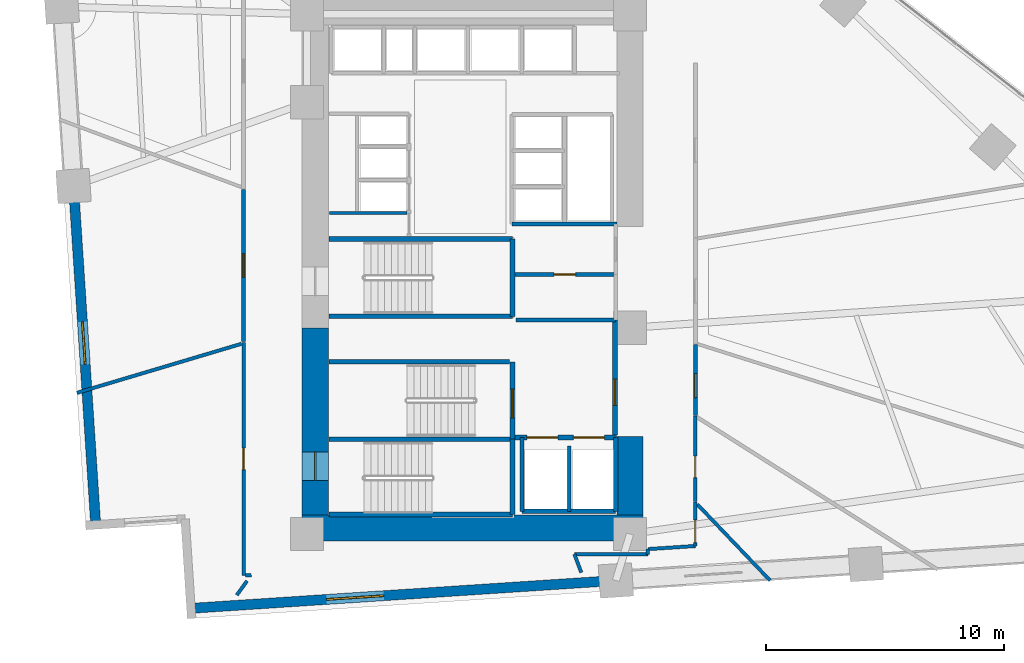
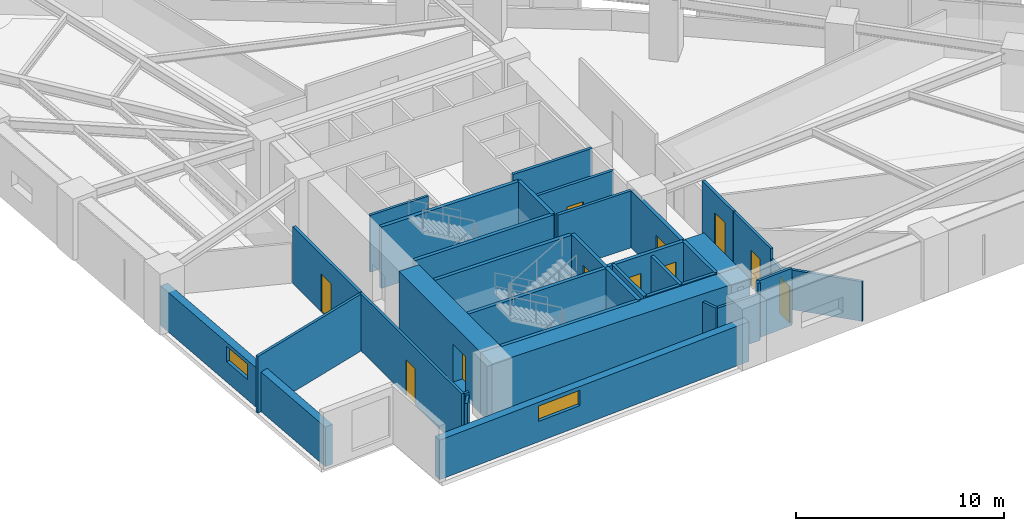
# One storey, part 11 of 15: 36 walls, 11 doors, 2 windows, 13 openings.
"""IFC4 building model written with IfcOpenShell, lengths in metres."""

from ifc_helpers import new_model, si_unit, direction, frame, frame_2d, origin, place, context, subcontext, project, spatial, rectangle, extrude, material, layer, layer_set, type_object, element, fill, save


model = new_model("IFC4")

# Units and contexts
model_context = context("Model", 3, precision=1e-05, world=origin(), true_north=direction((0.0, 1.0)))
body_context = subcontext(model_context, "Body", "Model", "MODEL_VIEW")
ifc_project = project(units=[si_unit("LENGTHUNIT", "METRE"), si_unit("AREAUNIT", "SQUARE_METRE"), si_unit("VOLUMEUNIT", "CUBIC_METRE"), si_unit("PLANEANGLEUNIT", "RADIAN"), si_unit("MASSUNIT", "GRAM", prefix="KILO")], contexts=[model_context])

# Site, building, storey
site_placement = place(None, origin())
site = spatial("IfcSite", under=ifc_project, at=site_placement, CompositionType="ELEMENT")
building_placement = place(site_placement, origin())
building = spatial("IfcBuilding", under=site, at=building_placement, Name="Narakoshi Arena Tower", CompositionType="ELEMENT")
storey_placement = place(building_placement, frame((0.0, 0.0, 70.5)))
storey = spatial("IfcBuildingStorey", under=building, at=storey_placement, Name="L18", CompositionType="ELEMENT", Elevation=70.5)

# Wall, opening, door
ifc_material_1 = material(Name="Concrete C60/75", Category="concrete")
ifc_layer_1 = layer(ifc_material_1, 1.10009765625)
ifc_layer_set_1 = layer_set([ifc_layer_1], Name="Concrete C60/75")
wall_type_1 = type_object("IfcWallType", Name="WL-CORE-1100", PredefinedType="SHEAR", material=ifc_layer_set_1)
wall_1_placement = place(storey_placement, frame((72.35009765625, 35.5, -0.260009765625), z_axis=(0.0, 0.0, 1.0), x_axis=(0.0, 1.0, 0.0)))
wall_1 = element("IfcWall", 1, at=wall_1_placement, inside=storey, type_object=wall_type_1, Name="L18 Central Core Shear Wall CW-APX-W", PredefinedType="SHEAR", context=body_context, shape_type="SweptSolid", body=[
    extrude(rectangle(XDim=7.85009765625, YDim=1.10009765625, at=frame_2d((3.925048828125, 0.0))), origin(), (0.0, 0.0, 1.0), 3.60009765625),
])
opening_1_placement = place(wall_1_placement, frame((1.449951171875, 0.0, 0.260009765625)))
opening_1 = element("IfcOpeningElement", 2, at=opening_1_placement, cuts=wall_1, Name="Opening D-03", PredefinedType="OPENING", context=body_context, shape_type="SweptSolid", body=[
    extrude(rectangle(XDim=1.199951171875, YDim=2.199951171875, at=frame_2d((0.60009765625, 1.10009765625))), frame((0.0, 0.56005859375, 0.0), z_axis=(0.0, -1.0, 0.0), x_axis=(1.0, 0.0, 0.0)), (0.0, 0.0, 1.0), 1.1201171875),
])
ifc_material_2 = material(Name="Painted galvanized steel", Category="steel")
door_type_1 = type_object("IfcDoorType", Name="DR-STR-1200", OperationType="NOTDEFINED", PredefinedType="USERDEFINED", material=ifc_material_2)
door_1_placement = place(opening_1_placement, frame((1.199951171875, 0.0, 0.0), z_axis=(0.0, 0.0, 1.0), x_axis=(-1.0, 0.0, 0.0)))
door_1 = element("IfcDoor", 3, at=door_1_placement, inside=storey, type_object=door_type_1, Name="DR-L18-002", ObjectType="EXITDOOR", OperationType="SINGLE_SWING_LEFT", OverallHeight=2.199951171875, OverallWidth=1.199951171875, PredefinedType="USERDEFINED", context=body_context, shape_type="SweptSolid", body=[
    extrude(rectangle(XDim=1.199951171875, YDim=2.199951171875, at=frame_2d((0.60009765625, 1.10009765625))), frame((0.0, 0.02490234375, 0.0), z_axis=(0.0, -1.0, 0.0), x_axis=(1.0, 0.0, 0.0)), (0.0, 0.0, 1.0), 0.050048828125),
])
fill(opening_1, door_1)

# Walls
wall_2_placement = place(storey_placement, frame((71.800048828125, 34.949951171875, -0.260009765625), z_axis=(0.0, 0.0, 1.0), x_axis=(1.0, 0.0, 0.0)))
element("IfcWall", 4, at=wall_2_placement, inside=storey, type_object=wall_type_1, Name="L18 Central Core Shear Wall CW-APX-S", PredefinedType="SHEAR", context=body_context, shape_type="SweptSolid", body=[
    extrude(rectangle(XDim=14.300048828125, YDim=1.10009765625, at=frame_2d((7.14990234375, 0.0))), origin(), (0.0, 0.0, 1.0), 3.60009765625),
])
wall_3_placement = place(storey_placement, frame((85.550048828125, 35.5, -0.260009765625), z_axis=(0.0, 0.0, 1.0), x_axis=(0.0, 1.0, 0.0)))
element("IfcWall", 5, at=wall_3_placement, inside=storey, type_object=wall_type_1, Name="L18 Central Core Shear Wall CW-APX-E", PredefinedType="SHEAR", context=body_context, shape_type="SweptSolid", body=[
    extrude(rectangle(XDim=3.300048828125, YDim=1.10009765625, at=frame_2d((1.64990234375, 0.0))), origin(), (0.0, 0.0, 1.0), 3.60009765625),
])

# Wall, opening, door
ifc_material_3 = material(Name="Gypsum plasterboard fire-rated partition")
ifc_layer_2 = layer(ifc_material_3, 0.1650390625)
ifc_layer_set_2 = layer_set([ifc_layer_2], Name="Gypsum plasterboard fire-rated partition")
wall_type_2 = type_object("IfcWallType", Name="WL-CORR-165", PredefinedType="PARTITIONING", material=ifc_layer_set_2)
wall_4_placement = place(storey_placement, frame((88.28759765625, 39.67431640625, 0.0), z_axis=(0.0, 0.0, 1.0), x_axis=(0.0, 1.0, 0.0)))
wall_4 = element("IfcWall", 6, at=wall_4_placement, inside=storey, type_object=wall_type_2, Name="L18 Corridor Partition 05-1", PredefinedType="PARTITIONING", context=body_context, shape_type="SweptSolid", body=[
    extrude(rectangle(XDim=2.964111328125, YDim=0.1650390625, at=frame_2d((1.48193359375, 0.0))), origin(), (0.0, 0.0, 1.0), 3.340087890625),
])
opening_2_placement = place(wall_4_placement, frame((0.74755859375, 0.0, 0.0)))
opening_2 = element("IfcOpeningElement", 7, at=opening_2_placement, cuts=wall_4, Name="Opening D-06", PredefinedType="OPENING", context=body_context, shape_type="SweptSolid", body=[
    extrude(rectangle(XDim=1.0, YDim=2.199951171875, at=frame_2d((0.5, 1.10009765625))), frame((0.0, 0.092529296875, 0.0), z_axis=(0.0, -1.0, 0.0), x_axis=(1.0, 0.0, 0.0)), (0.0, 0.0, 1.0), 0.18505859375),
])
ifc_material_4 = material(Name="Stained oak solid-core timber", Category="wood")
door_type_2 = type_object("IfcDoorType", Name="DR-OFF-1000", OperationType="NOTDEFINED", PredefinedType="DOOR", material=ifc_material_4)
door_2_placement = place(opening_2_placement, frame((1.0, 0.0, 0.0), z_axis=(0.0, 0.0, 1.0), x_axis=(-1.0, 0.0, 0.0)))
door_2 = element("IfcDoor", 8, at=door_2_placement, inside=storey, type_object=door_type_2, Name="DR-L18-018", OperationType="SINGLE_SWING_RIGHT", OverallHeight=2.199951171875, OverallWidth=1.0, PredefinedType="DOOR", context=body_context, shape_type="SweptSolid", body=[
    extrude(rectangle(XDim=1.0, YDim=2.199951171875, at=frame_2d((0.5, 1.10009765625))), frame((0.0, 0.02490234375, 0.0), z_axis=(0.0, -1.0, 0.0), x_axis=(1.0, 0.0, 0.0)), (0.0, 0.0, 1.0), 0.050048828125),
])
fill(opening_2, door_2)

wall_5_placement = place(storey_placement, frame((69.340087890625, 49.15234375, 0.0), z_axis=(0.0, 0.0, 1.0), x_axis=(0.0, -1.0, 0.0)))
wall_5 = element("IfcWall", 9, at=wall_5_placement, inside=storey, type_object=wall_type_2, Name="L18 Corridor Partition 09-1", PredefinedType="PARTITIONING", context=body_context, shape_type="SweptSolid", body=[
    extrude(rectangle(XDim=6.386962890625, YDim=0.1650390625, at=frame_2d((3.193359375, 0.0))), origin(), (0.0, 0.0, 1.0), 3.340087890625),
])
opening_3_placement = place(wall_5_placement, frame((2.693603515625, 0.0, 0.0)))
opening_3 = element("IfcOpeningElement", 10, at=opening_3_placement, cuts=wall_5, Name="Opening D-06", PredefinedType="OPENING", context=body_context, shape_type="SweptSolid", body=[
    extrude(rectangle(XDim=1.0, YDim=2.199951171875, at=frame_2d((0.5, 1.10009765625))), frame((0.0, 0.092529296875, 0.0), z_axis=(0.0, -1.0, 0.0), x_axis=(1.0, 0.0, 0.0)), (0.0, 0.0, 1.0), 0.18505859375),
])
door_3_placement = place(opening_3_placement, frame((1.0, 0.0, 0.0), z_axis=(0.0, 0.0, 1.0), x_axis=(-1.0, 0.0, 0.0)))
door_3 = element("IfcDoor", 11, at=door_3_placement, inside=storey, type_object=door_type_2, Name="DR-L18-022", OperationType="SINGLE_SWING_RIGHT", OverallHeight=2.199951171875, OverallWidth=1.0, PredefinedType="DOOR", context=body_context, shape_type="SweptSolid", body=[
    extrude(rectangle(XDim=1.0, YDim=2.199951171875, at=frame_2d((0.5, 1.10009765625))), frame((0.0, 0.02490234375, 0.0), z_axis=(0.0, -1.0, 0.0), x_axis=(1.0, 0.0, 0.0)), (0.0, 0.0, 1.0), 0.050048828125),
])
fill(opening_3, door_3)

# Wall, opening, window
ifc_material_5 = material(Name="Precast concrete C45/55", Category="concrete")
ifc_layer_3 = layer(ifc_material_5, 0.419921875)
ifc_layer_set_3 = layer_set([ifc_layer_3], Name="Precast concrete C45/55")
wall_type_3 = type_object("IfcWallType", Name="WL-POD-420", PredefinedType="SOLIDWALL", material=ifc_layer_set_3)
wall_6_placement = place(storey_placement, frame((67.133056640625, 31.582763671875, 0.0), z_axis=(0.0, 0.0, 1.0), x_axis=(0.997859040617, 0.065401338356, 0.0)))
wall_6 = element("IfcWall", 12, at=wall_6_placement, inside=storey, type_object=wall_type_3, Name="L18 Architectural Concrete Facade Wall LEGA-1", PredefinedType="SOLIDWALL", context=body_context, shape_type="SweptSolid", body=[
    extrude(rectangle(XDim=17.8623046875, YDim=0.419921875, at=frame_2d((8.93115234375, 0.0))), origin(), (0.0, 0.0, 1.0), 2.324951171875),
])
opening_4_placement = place(wall_6_placement, frame((5.699951171875, 0.0, 1.199951171875)))
opening_4 = element("IfcOpeningElement", 13, at=opening_4_placement, cuts=wall_6, Name="Opening WN-01", PredefinedType="OPENING", context=body_context, shape_type="SweptSolid", body=[
    extrude(rectangle(XDim=2.39990234375, YDim=0.89990234375, at=frame_2d((1.199951171875, 0.449951171875))), frame((0.0, 0.219970703125, 0.0), z_axis=(0.0, -1.0, 0.0), x_axis=(1.0, 0.0, 0.0)), (0.0, 0.0, 1.0), 0.43994140625),
])
ifc_material_6 = material(Name="Bronze-tinted low-E laminated glass", Category="glass")
window_type_1 = type_object("IfcWindowType", Name="WIN-SLT-24x09", PartitioningType="SINGLE_PANEL", PredefinedType="WINDOW", material=ifc_material_6)
window_1_placement = place(opening_4_placement, origin())
window_1 = element("IfcWindow", 14, at=window_1_placement, inside=storey, type_object=window_type_1, Name="L18 LEGA1 Horizontal Slot Window 1", OverallHeight=0.89990234375, OverallWidth=2.39990234375, PartitioningType="SINGLE_PANEL", PredefinedType="WINDOW", context=body_context, shape_type="SweptSolid", body=[
    extrude(rectangle(XDim=2.39990234375, YDim=0.89990234375, at=frame_2d((1.199951171875, 0.449951171875))), frame((0.0, 0.030029296875, 0.0), z_axis=(0.0, -1.0, 0.0), x_axis=(1.0, 0.0, 0.0)), (0.0, 0.0, 1.0), 0.06005859375),
])
fill(opening_4, window_1)

wall_7_placement = place(storey_placement, frame((62.210205078125, 49.294921875, 0.0), z_axis=(0.0, 0.0, 1.0), x_axis=(0.065396027757, -0.997859388668, 0.0)))
wall_7 = element("IfcWall", 15, at=wall_7_placement, inside=storey, type_object=wall_type_3, Name="L18 Architectural Concrete Facade Wall LEGB-3", PredefinedType="SOLIDWALL", context=body_context, shape_type="SweptSolid", body=[
    extrude(rectangle(XDim=14.242431640625, YDim=0.419921875, at=frame_2d((7.12109375, 0.0))), origin(), (0.0, 0.0, 1.0), 2.324951171875),
])
opening_5_placement = place(wall_7_placement, frame((5.699951171875, 0.0, 1.199951171875)))
opening_5 = element("IfcOpeningElement", 16, at=opening_5_placement, cuts=wall_7, Name="Opening WN-02", PredefinedType="OPENING", context=body_context, shape_type="SweptSolid", body=[
    extrude(rectangle(XDim=1.800048828125, YDim=0.89990234375, at=frame_2d((0.89990234375, 0.449951171875))), frame((0.0, 0.219970703125, 0.0), z_axis=(0.0, -1.0, 0.0), x_axis=(1.0, 0.0, 0.0)), (0.0, 0.0, 1.0), 0.43994140625),
])
window_type_2 = type_object("IfcWindowType", Name="WIN-SLT-18x09", PartitioningType="SINGLE_PANEL", PredefinedType="WINDOW", material=ifc_material_6)
window_2_placement = place(opening_5_placement, origin())
window_2 = element("IfcWindow", 17, at=window_2_placement, inside=storey, type_object=window_type_2, Name="L18 LEGB3 Horizontal Slot Window 1", OverallHeight=0.89990234375, OverallWidth=1.800048828125, PartitioningType="SINGLE_PANEL", PredefinedType="WINDOW", context=body_context, shape_type="SweptSolid", body=[
    extrude(rectangle(XDim=1.800048828125, YDim=0.89990234375, at=frame_2d((0.89990234375, 0.449951171875))), frame((0.0, 0.030029296875, 0.0), z_axis=(0.0, -1.0, 0.0), x_axis=(1.0, 0.0, 0.0)), (0.0, 0.0, 1.0), 0.06005859375),
])
fill(opening_5, window_2)

# Wall
ifc_material_7 = material(Name="Concrete C40/50", Category="concrete")
ifc_layer_4 = layer(ifc_material_7, 0.280029296875)
ifc_layer_set_4 = layer_set([ifc_layer_4], Name="Concrete C40/50")
wall_type_4 = type_object("IfcWallType", Name="WL-RISER-280", PredefinedType="PLUMBINGWALL", material=ifc_layer_set_4)
wall_8_placement = place(storey_placement, frame((83.0, 35.64990234375, 0.0), z_axis=(0.0, 0.0, 1.0), x_axis=(0.0, 1.0, 0.0)))
element("IfcWall", 18, at=wall_8_placement, inside=storey, type_object=wall_type_4, Name="L18 Core Wall FF-DIV", PredefinedType="PLUMBINGWALL", context=body_context, shape_type="SweptSolid", body=[
    extrude(rectangle(XDim=2.75, YDim=0.159912109375, at=frame_2d((1.375, 0.0))), origin(), (0.0, 0.0, 1.0), 3.340087890625),
])

# Wall, opening, door
wall_9_placement = place(storey_placement, frame((80.719970703125, 45.580078125, 0.0), z_axis=(0.0, 0.0, 1.0), x_axis=(1.0, 0.0, 0.0)))
wall_9 = element("IfcWall", 19, at=wall_9_placement, inside=storey, type_object=wall_type_4, Name="L18 Core Wall RSR-N", PredefinedType="PLUMBINGWALL", context=body_context, shape_type="SweptSolid", body=[
    extrude(rectangle(XDim=4.22998046875, YDim=0.159912109375, at=frame_2d((2.114990234375, 0.0))), origin(), (0.0, 0.0, 1.0), 3.340087890625),
])
opening_6_placement = place(wall_9_placement, frame((1.64990234375, 0.0, 0.0)))
opening_6 = element("IfcOpeningElement", 20, at=opening_6_placement, cuts=wall_9, Name="Opening D-08", PredefinedType="OPENING", context=body_context, shape_type="SweptSolid", body=[
    extrude(rectangle(XDim=0.89990234375, YDim=2.10009765625, at=frame_2d((0.449951171875, 1.050048828125))), frame((0.0, 0.08984375, 0.0), z_axis=(0.0, -1.0, 0.0), x_axis=(1.0, 0.0, 0.0)), (0.0, 0.0, 1.0), 0.179931640625),
])
ifc_material_8 = material(Name="Moisture-resistant laminate timber", Category="wood")
door_type_3 = type_object("IfcDoorType", Name="DR-WC-900", OperationType="NOTDEFINED", PredefinedType="DOOR", material=ifc_material_8)
door_4_placement = place(opening_6_placement, frame((0.89990234375, 0.0, 0.0), z_axis=(0.0, 0.0, 1.0), x_axis=(-1.0, 0.0, 0.0)))
door_4 = element("IfcDoor", 21, at=door_4_placement, inside=storey, type_object=door_type_3, Name="DR-L18-009", OperationType="SINGLE_SWING_LEFT", OverallHeight=2.10009765625, OverallWidth=0.89990234375, PredefinedType="DOOR", context=body_context, shape_type="SweptSolid", body=[
    extrude(rectangle(XDim=0.89990234375, YDim=2.10009765625, at=frame_2d((0.449951171875, 1.050048828125))), frame((0.0, 0.02490234375, 0.0), z_axis=(0.0, -1.0, 0.0), x_axis=(1.0, 0.0, 0.0)), (0.0, 0.0, 1.0), 0.050048828125),
])
fill(opening_6, door_4)

# Walls
wall_10_placement = place(storey_placement, frame((80.760009765625, 43.679931640625, 0.0), z_axis=(0.0, 0.0, 1.0), x_axis=(1.0, 0.0, 0.0)))
element("IfcWall", 22, at=wall_10_placement, inside=storey, type_object=wall_type_4, Name="L18 Core Wall RSR-S", PredefinedType="PLUMBINGWALL", context=body_context, shape_type="SweptSolid", body=[
    extrude(rectangle(XDim=4.18994140625, YDim=0.159912109375, at=frame_2d((2.094970703125, 0.0))), origin(), (0.0, 0.0, 1.0), 3.340087890625),
])
wall_11_placement = place(storey_placement, frame((72.949951171875, 48.159912109375, 0.0), z_axis=(0.0, 0.0, 1.0), x_axis=(1.0, 0.0, 0.0)))
element("IfcWall", 23, at=wall_11_placement, inside=storey, type_object=wall_type_4, Name="L18 Core Wall LR-S0", PredefinedType="PLUMBINGWALL", context=body_context, shape_type="SweptSolid", body=[
    extrude(rectangle(XDim=3.239990234375, YDim=0.139892578125, at=frame_2d((1.6201171875, 0.0))), origin(), (0.0, 0.0, 1.0), 3.340087890625),
])
ifc_material_9 = material(Name="Concrete C50/60", Category="concrete")
ifc_layer_5 = layer(ifc_material_9, 0.35009765625)
ifc_layer_set_5 = layer_set([ifc_layer_5], Name="Concrete C50/60")
wall_type_5 = type_object("IfcWallType", Name="WL-SHAFT-350", PredefinedType="SOLIDWALL", material=ifc_layer_set_5)
for number, where, z_axis, x_axis, name in (
    (24, (72.919921875, 35.52001953125, -0.260009765625), (0.0, 0.0, 1.0), (1.0, 0.0, 0.0), "L18 Core Wall ST1-S"),
    (25, (72.919921875, 38.675048828125, -0.260009765625), (0.0, 0.0, 1.0), (1.0, 0.0, 0.0), "L18 Core Wall ST12-DIV"),
):
    element("IfcWall", number, at=place(storey_placement, frame(where, z_axis=z_axis, x_axis=x_axis)), inside=storey, type_object=wall_type_5, Name=name, PredefinedType="SOLIDWALL", context=body_context, shape_type="SweptSolid", body=[
        extrude(rectangle(XDim=7.7001953125, YDim=0.199951171875, at=frame_2d((3.85009765625, 0.0))), origin(), (0.0, 0.0, 1.0), 3.60009765625),
    ])
wall_12_placement = place(storey_placement, frame((80.6201171875, 35.52001953125, -0.260009765625), z_axis=(0.0, 0.0, 1.0), x_axis=(0.0, 1.0, 0.0)))
element("IfcWall", 26, at=wall_12_placement, inside=storey, type_object=wall_type_5, Name="L18 Core Wall ST1-E", PredefinedType="SOLIDWALL", context=body_context, shape_type="SweptSolid", body=[
    extrude(rectangle(XDim=3.155029296875, YDim=0.199951171875, at=frame_2d((1.57763671875, 0.0))), origin(), (0.0, 0.0, 1.0), 3.60009765625),
])

# Wall, opening, door
wall_13_placement = place(storey_placement, frame((80.6201171875, 38.675048828125, -0.260009765625), z_axis=(0.0, 0.0, 1.0), x_axis=(0.0, 1.0, 0.0)))
wall_13 = element("IfcWall", 27, at=wall_13_placement, inside=storey, type_object=wall_type_5, Name="L18 Core Wall ST2-E", PredefinedType="SOLIDWALL", context=body_context, shape_type="SweptSolid", body=[
    extrude(rectangle(XDim=3.244873046875, YDim=0.199951171875, at=frame_2d((1.62255859375, 0.0))), origin(), (0.0, 0.0, 1.0), 3.60009765625),
])
opening_7_placement = place(wall_13_placement, frame((0.89990234375, 0.0, 0.260009765625)))
opening_7 = element("IfcOpeningElement", 28, at=opening_7_placement, cuts=wall_13, Name="Opening D-03", PredefinedType="OPENING", context=body_context, shape_type="SweptSolid", body=[
    extrude(rectangle(XDim=1.199951171875, YDim=2.199951171875, at=frame_2d((0.60009765625, 1.10009765625))), frame((0.0, 0.10986328125, 0.0), z_axis=(0.0, -1.0, 0.0), x_axis=(1.0, 0.0, 0.0)), (0.0, 0.0, 1.0), 0.219970703125),
])
door_5_placement = place(opening_7_placement, origin())
door_5 = element("IfcDoor", 29, at=door_5_placement, inside=storey, type_object=door_type_1, Name="DR-L18-003", ObjectType="EXITDOOR", OperationType="SINGLE_SWING_RIGHT", OverallHeight=2.199951171875, OverallWidth=1.199951171875, PredefinedType="USERDEFINED", context=body_context, shape_type="SweptSolid", body=[
    extrude(rectangle(XDim=1.199951171875, YDim=2.199951171875, at=frame_2d((0.60009765625, 1.10009765625))), frame((0.0, 0.02490234375, 0.0), z_axis=(0.0, -1.0, 0.0), x_axis=(1.0, 0.0, 0.0)), (0.0, 0.0, 1.0), 0.050048828125),
])
fill(opening_7, door_5)

# Wall, openings, doors
wall_14_placement = place(storey_placement, frame((80.719970703125, 38.75, 0.0), z_axis=(0.0, 0.0, 1.0), x_axis=(1.0, 0.0, 0.0)))
wall_14 = element("IfcWall", 30, at=wall_14_placement, inside=storey, type_object=wall_type_5, Name="L18 Core Wall FF-N", PredefinedType="SOLIDWALL", context=body_context, shape_type="SweptSolid", body=[
    extrude(rectangle(XDim=4.260009765625, YDim=0.199951171875, at=frame_2d((2.1298828125, 0.0))), origin(), (0.0, 0.0, 1.0), 3.340087890625),
])
opening_8_placement = place(wall_14_placement, frame((0.5, 0.0, 0.0)))
opening_8 = element("IfcOpeningElement", 31, at=opening_8_placement, cuts=wall_14, Name="Opening LD-02", PredefinedType="OPENING", context=body_context, shape_type="SweptSolid", body=[
    extrude(rectangle(XDim=1.300048828125, YDim=2.300048828125, at=frame_2d((0.64990234375, 1.14990234375))), frame((0.0, 0.10986328125, 0.0), z_axis=(0.0, -1.0, 0.0), x_axis=(1.0, 0.0, 0.0)), (0.0, 0.0, 1.0), 0.219970703125),
])
opening_9_placement = place(wall_14_placement, frame((2.449951171875, 0.0, 0.0)))
opening_9 = element("IfcOpeningElement", 32, at=opening_9_placement, cuts=wall_14, Name="Opening LD-02", PredefinedType="OPENING", context=body_context, shape_type="SweptSolid", body=[
    extrude(rectangle(XDim=1.300048828125, YDim=2.300048828125, at=frame_2d((0.64990234375, 1.14990234375))), frame((0.0, 0.10986328125, 0.0), z_axis=(0.0, -1.0, 0.0), x_axis=(1.0, 0.0, 0.0)), (0.0, 0.0, 1.0), 0.219970703125),
])
ifc_material_10 = material(Name="Brushed bronze stainless steel", Category="steel")
door_type_4 = type_object("IfcDoorType", Name="DR-LFT-1300", OperationType="DOUBLE_DOOR_SLIDING", PredefinedType="DOOR", material=ifc_material_10)
door_6_placement = place(opening_8_placement, origin())
door_6 = element("IfcDoor", 33, at=door_6_placement, inside=storey, type_object=door_type_4, Name="DR-L18-004", OperationType="DOUBLE_DOOR_SLIDING", OverallHeight=2.300048828125, OverallWidth=1.300048828125, PredefinedType="DOOR", context=body_context, shape_type="SweptSolid", body=[
    extrude(rectangle(XDim=1.300048828125, YDim=2.300048828125, at=frame_2d((0.64990234375, 1.14990234375))), frame((0.0, 0.02490234375, 0.0), z_axis=(0.0, -1.0, 0.0), x_axis=(1.0, 0.0, 0.0)), (0.0, 0.0, 1.0), 0.050048828125),
])
fill(opening_8, door_6)
door_7_placement = place(opening_9_placement, origin())
door_7 = element("IfcDoor", 34, at=door_7_placement, inside=storey, type_object=door_type_4, Name="DR-L18-005", OperationType="DOUBLE_DOOR_SLIDING", OverallHeight=2.300048828125, OverallWidth=1.300048828125, PredefinedType="DOOR", context=body_context, shape_type="SweptSolid", body=[
    extrude(rectangle(XDim=1.300048828125, YDim=2.300048828125, at=frame_2d((0.64990234375, 1.14990234375))), frame((0.0, 0.02490234375, 0.0), z_axis=(0.0, -1.0, 0.0), x_axis=(1.0, 0.0, 0.0)), (0.0, 0.0, 1.0), 0.050048828125),
])
fill(opening_9, door_7)

# Walls
for number, where, z_axis, x_axis, name in (
    (35, (84.949951171875, 35.64990234375, 0.0), (0.0, 0.0, 1.0), (0.0, 1.0, 0.0), "L18 Core Wall FF-E"),
    (36, (81.02001953125, 35.64990234375, 0.0), (0.0, 0.0, 1.0), (0.0, 1.0, 0.0), "L18 Core Wall FF-W"),
):
    element("IfcWall", number, at=place(storey_placement, frame(where, z_axis=z_axis, x_axis=x_axis)), inside=storey, type_object=wall_type_5, Name=name, PredefinedType="SOLIDWALL", context=body_context, shape_type="SweptSolid", body=[
        extrude(rectangle(XDim=3.10009765625, YDim=0.179931640625, at=frame_2d((1.550048828125, 0.0))), origin(), (0.0, 0.0, 1.0), 3.340087890625),
    ])
wall_15_placement = place(storey_placement, frame((81.02001953125, 35.64990234375, 0.0), z_axis=(0.0, 0.0, 1.0), x_axis=(1.0, 0.0, 0.0)))
element("IfcWall", 37, at=wall_15_placement, inside=storey, type_object=wall_type_5, Name="L18 Core Wall FF-S", PredefinedType="SOLIDWALL", context=body_context, shape_type="SweptSolid", body=[
    extrude(rectangle(XDim=3.929931640625, YDim=0.179931640625, at=frame_2d((1.96484375, 0.0))), origin(), (0.0, 0.0, 1.0), 3.340087890625),
])

# Wall, opening, door
wall_16_placement = place(storey_placement, frame((84.919921875, 38.85009765625, 0.0), z_axis=(0.0, 0.0, 1.0), x_axis=(0.0, 1.0, 0.0)))
wall_16 = element("IfcWall", 38, at=wall_16_placement, inside=storey, type_object=wall_type_5, Name="L18 Core Wall FFLOB-E", PredefinedType="SOLIDWALL", context=body_context, shape_type="SweptSolid", body=[
    extrude(rectangle(XDim=4.829833984375, YDim=0.199951171875, at=frame_2d((2.4150390625, 0.0))), origin(), (0.0, 0.0, 1.0), 3.340087890625),
])
opening_10_placement = place(wall_16_placement, frame((1.25, 0.0, 0.0)))
opening_10 = element("IfcOpeningElement", 39, at=opening_10_placement, cuts=wall_16, Name="Opening D-04", PredefinedType="OPENING", context=body_context, shape_type="SweptSolid", body=[
    extrude(rectangle(XDim=1.10009765625, YDim=2.199951171875, at=frame_2d((0.550048828125, 1.10009765625))), frame((0.0, 0.10986328125, 0.0), z_axis=(0.0, -1.0, 0.0), x_axis=(1.0, 0.0, 0.0)), (0.0, 0.0, 1.0), 0.219970703125),
])
door_type_5 = type_object("IfcDoorType", Name="DR-FFL-1100", OperationType="NOTDEFINED", PredefinedType="DOOR", material=ifc_material_2)
door_8_placement = place(opening_10_placement, frame((1.10009765625, 0.0, 0.0), z_axis=(0.0, 0.0, 1.0), x_axis=(-1.0, 0.0, 0.0)))
door_8 = element("IfcDoor", 40, at=door_8_placement, inside=storey, type_object=door_type_5, Name="DR-L18-006", OperationType="SINGLE_SWING_RIGHT", OverallHeight=2.199951171875, OverallWidth=1.10009765625, PredefinedType="DOOR", context=body_context, shape_type="SweptSolid", body=[
    extrude(rectangle(XDim=1.10009765625, YDim=2.199951171875, at=frame_2d((0.550048828125, 1.10009765625))), frame((0.0, 0.02490234375, 0.0), z_axis=(0.0, -1.0, 0.0), x_axis=(1.0, 0.0, 0.0)), (0.0, 0.0, 1.0), 0.050048828125),
])
fill(opening_10, door_8)

# Walls
wall_17_placement = place(storey_placement, frame((72.919921875, 41.919921875, -0.260009765625), z_axis=(0.0, 0.0, 1.0), x_axis=(1.0, 0.0, 0.0)))
element("IfcWall", 41, at=wall_17_placement, inside=storey, type_object=wall_type_5, Name="L18 Core Wall ST2-N", PredefinedType="SOLIDWALL", context=body_context, shape_type="SweptSolid", body=[
    extrude(rectangle(XDim=7.580078125, YDim=0.199951171875, at=frame_2d((3.7900390625, 0.0))), origin(), (0.0, 0.0, 1.0), 3.60009765625),
])
for number, where, z_axis, x_axis, name in (
    (42, (72.919921875, 43.830078125, -0.260009765625), (0.0, 0.0, 1.0), (1.0, 0.0, 0.0), "L18 Core Wall ST3-S"),
    (43, (72.919921875, 47.070068359375, -0.260009765625), (0.0, 0.0, 1.0), (1.0, 0.0, 0.0), "L18 Core Wall ST3-N"),
):
    element("IfcWall", number, at=place(storey_placement, frame(where, z_axis=z_axis, x_axis=x_axis)), inside=storey, type_object=wall_type_5, Name=name, PredefinedType="SOLIDWALL", context=body_context, shape_type="SweptSolid", body=[
        extrude(rectangle(XDim=7.7001953125, YDim=0.199951171875, at=frame_2d((3.85009765625, 0.0))), origin(), (0.0, 0.0, 1.0), 3.60009765625),
    ])
wall_18_placement = place(storey_placement, frame((80.6201171875, 43.830078125, -0.260009765625), z_axis=(0.0, 0.0, 1.0), x_axis=(0.0, 1.0, 0.0)))
element("IfcWall", 44, at=wall_18_placement, inside=storey, type_object=wall_type_5, Name="L18 Core Wall ST3-E", PredefinedType="SOLIDWALL", context=body_context, shape_type="SweptSolid", body=[
    extrude(rectangle(XDim=3.239990234375, YDim=0.199951171875, at=frame_2d((1.6201171875, 0.0))), origin(), (0.0, 0.0, 1.0), 3.60009765625),
])
wall_19_placement = place(storey_placement, frame((80.60009765625, 47.699951171875, 0.0), z_axis=(0.0, 0.0, 1.0), x_axis=(1.0, 0.0, 0.0)))
element("IfcWall", 45, at=wall_19_placement, inside=storey, type_object=wall_type_5, Name="L18 Core Wall MR-S", PredefinedType="SOLIDWALL", context=body_context, shape_type="SweptSolid", body=[
    extrude(rectangle(XDim=4.39990234375, YDim=0.159912109375, at=frame_2d((2.199951171875, 0.0))), origin(), (0.0, 0.0, 1.0), 3.340087890625),
])

# Wall, opening, door
ifc_material_11 = material(Name="Moisture-resistant cement-board partition")
ifc_layer_6 = layer(ifc_material_11, 0.14501953125)
ifc_layer_set_6 = layer_set([ifc_layer_6], Name="Moisture-resistant cement-board partition")
wall_type_6 = type_object("IfcWallType", Name="WL-WET-145", PredefinedType="PARTITIONING", material=ifc_layer_set_6)
wall_20_placement = place(storey_placement, frame((69.340087890625, 42.740234375, 0.0), z_axis=(0.0, 0.0, 1.0), x_axis=(0.0, -1.0, 0.0)))
wall_20 = element("IfcWall", 46, at=wall_20_placement, inside=storey, type_object=wall_type_6, Name="L18 Corridor Partition 01-1", PredefinedType="PARTITIONING", context=body_context, shape_type="SweptSolid", body=[
    extrude(rectangle(XDim=9.78515625, YDim=0.14501953125, at=frame_2d((4.892578125, 0.0))), origin(), (0.0, 0.0, 1.0), 3.340087890625),
])
opening_11_placement = place(wall_20_placement, frame((4.442626953125, 0.0, 0.0)))
opening_11 = element("IfcOpeningElement", 47, at=opening_11_placement, cuts=wall_20, Name="Opening D-08", PredefinedType="OPENING", context=body_context, shape_type="SweptSolid", body=[
    extrude(rectangle(XDim=0.89990234375, YDim=2.10009765625, at=frame_2d((0.449951171875, 1.050048828125))), frame((0.0, 0.08251953125, 0.0), z_axis=(0.0, -1.0, 0.0), x_axis=(1.0, 0.0, 0.0)), (0.0, 0.0, 1.0), 0.1650390625),
])
door_9_placement = place(opening_11_placement, frame((0.89990234375, 0.0, 0.0), z_axis=(0.0, 0.0, 1.0), x_axis=(-1.0, 0.0, 0.0)))
door_9 = element("IfcDoor", 48, at=door_9_placement, inside=storey, type_object=door_type_3, Name="DR-L18-014", OperationType="SINGLE_SWING_RIGHT", OverallHeight=2.10009765625, OverallWidth=0.89990234375, PredefinedType="DOOR", context=body_context, shape_type="SweptSolid", body=[
    extrude(rectangle(XDim=0.89990234375, YDim=2.10009765625, at=frame_2d((0.449951171875, 1.050048828125))), frame((0.0, 0.02490234375, 0.0), z_axis=(0.0, -1.0, 0.0), x_axis=(1.0, 0.0, 0.0)), (0.0, 0.0, 1.0), 0.050048828125),
])
fill(opening_11, door_9)

# Walls
wall_21_placement = place(storey_placement, frame((69.424560546875, 32.96044921875, 0.0), z_axis=(0.0, 0.0, 1.0), x_axis=(0.997807626554, 0.066181118088, 0.0)))
element("IfcWall", 49, at=wall_21_placement, inside=storey, type_object=wall_type_6, Name="L18 Corridor Partition 01-2", PredefinedType="PARTITIONING", context=body_context, shape_type="SweptSolid", body=[
    extrude(rectangle(XDim=0.23974609375, YDim=0.14501953125, at=frame_2d((0.119873046875, 0.0))), origin(), (0.0, 0.0, 1.0), 3.340087890625),
])
wall_22_placement = place(storey_placement, frame((62.352783203125, 40.620361328125, 0.0), z_axis=(0.0, 0.0, 1.0), x_axis=(0.958348975983, 0.285599790324, 0.0)))
element("IfcWall", 50, at=wall_22_placement, inside=storey, type_object=wall_type_6, Name="L18 Inter-Room Partition 01-09", PredefinedType="PARTITIONING", context=body_context, shape_type="SweptSolid", body=[
    extrude(rectangle(XDim=7.202880859375, YDim=0.14501953125, at=frame_2d((3.6015625, 0.0))), origin(), (0.0, 0.0, 1.0), 3.340087890625),
])
wall_23_placement = place(storey_placement, frame((86.300048828125, 34.066650390625, 0.0), z_axis=(0.0, 0.0, 1.0), x_axis=(0.997863634979, 0.065331202241, 0.0)))
element("IfcWall", 51, at=wall_23_placement, inside=storey, type_object=wall_type_6, Name="L18 Corridor Partition 02-1", PredefinedType="PARTITIONING", context=body_context, shape_type="SweptSolid", body=[
    extrude(rectangle(XDim=1.99169921875, YDim=0.14501953125, at=frame_2d((0.995849609375, 0.0))), origin(), (0.0, 0.0, 1.0), 3.340087890625),
])

# Wall, opening, door
wall_24_placement = place(storey_placement, frame((88.28759765625, 34.19677734375, 0.0), z_axis=(0.0, 0.0, 1.0), x_axis=(0.0, 1.0, 0.0)))
wall_24 = element("IfcWall", 52, at=wall_24_placement, inside=storey, type_object=wall_type_6, Name="L18 Corridor Partition 02-2", PredefinedType="PARTITIONING", context=body_context, shape_type="SweptSolid", body=[
    extrude(rectangle(XDim=1.835693359375, YDim=0.14501953125, at=frame_2d((0.91796875, 0.0))), origin(), (0.0, 0.0, 1.0), 2.72509765625),
])
opening_12_placement = place(wall_24_placement, frame((0.14501953125, 0.0, 0.0)))
opening_12 = element("IfcOpeningElement", 53, at=opening_12_placement, cuts=wall_24, Name="Opening D-07", PredefinedType="OPENING", context=body_context, shape_type="SweptSolid", body=[
    extrude(rectangle(XDim=0.949951171875, YDim=2.14990234375, at=frame_2d((0.47509765625, 1.074951171875))), frame((0.0, 0.08251953125, 0.0), z_axis=(0.0, -1.0, 0.0), x_axis=(1.0, 0.0, 0.0)), (0.0, 0.0, 1.0), 0.1650390625),
])
door_type_6 = type_object("IfcDoorType", Name="DR-ACC-950", OperationType="NOTDEFINED", PredefinedType="DOOR", material=ifc_material_4)
door_10_placement = place(opening_12_placement, frame((0.949951171875, 0.0, 0.0), z_axis=(0.0, 0.0, 1.0), x_axis=(-1.0, 0.0, 0.0)))
door_10 = element("IfcDoor", 54, at=door_10_placement, inside=storey, type_object=door_type_6, Name="DR-L18-015", OperationType="SINGLE_SWING_RIGHT", OverallHeight=2.14990234375, OverallWidth=0.949951171875, PredefinedType="DOOR", context=body_context, shape_type="SweptSolid", body=[
    extrude(rectangle(XDim=0.949951171875, YDim=2.14990234375, at=frame_2d((0.47509765625, 1.074951171875))), frame((0.0, 0.02490234375, 0.0), z_axis=(0.0, -1.0, 0.0), x_axis=(1.0, 0.0, 0.0)), (0.0, 0.0, 1.0), 0.050048828125),
])
fill(opening_12, door_10)

# Wall
wall_25_placement = place(storey_placement, frame((88.3720703125, 35.944091796875, 0.0), z_axis=(0.0, 0.0, 1.0), x_axis=(0.690762144464, -0.723082056046, 0.0)))
element("IfcWall", 55, at=wall_25_placement, inside=storey, type_object=wall_type_6, Name="L18 Inter-Room Partition 02-03", PredefinedType="PARTITIONING", context=body_context, shape_type="SweptSolid", body=[
    extrude(rectangle(XDim=4.4189453125, YDim=0.14501953125, at=frame_2d((2.20947265625, 0.0))), origin(), (0.0, 0.0, 1.0), 2.324951171875),
])

# Wall, opening, door
wall_26_placement = place(storey_placement, frame((88.28759765625, 36.06640625, 0.0), z_axis=(0.0, 0.0, 1.0), x_axis=(0.0, 1.0, 0.0)))
wall_26 = element("IfcWall", 56, at=wall_26_placement, inside=storey, type_object=wall_type_6, Name="L18 Corridor Partition 03-1", PredefinedType="PARTITIONING", context=body_context, shape_type="SweptSolid", body=[
    extrude(rectangle(XDim=3.57958984375, YDim=0.14501953125, at=frame_2d((1.789794921875, 0.0))), origin(), (0.0, 0.0, 1.0), 3.340087890625),
])
opening_13_placement = place(wall_26_placement, frame((0.997802734375, 0.0, 0.0)))
opening_13 = element("IfcOpeningElement", 57, at=opening_13_placement, cuts=wall_26, Name="Opening D-08", PredefinedType="OPENING", context=body_context, shape_type="SweptSolid", body=[
    extrude(rectangle(XDim=0.89990234375, YDim=2.10009765625, at=frame_2d((0.449951171875, 1.050048828125))), frame((0.0, 0.08251953125, 0.0), z_axis=(0.0, -1.0, 0.0), x_axis=(1.0, 0.0, 0.0)), (0.0, 0.0, 1.0), 0.1650390625),
])
door_11_placement = place(opening_13_placement, frame((0.89990234375, 0.0, 0.0), z_axis=(0.0, 0.0, 1.0), x_axis=(-1.0, 0.0, 0.0)))
door_11 = element("IfcDoor", 58, at=door_11_placement, inside=storey, type_object=door_type_3, Name="DR-L18-016", OperationType="SINGLE_SWING_RIGHT", OverallHeight=2.10009765625, OverallWidth=0.89990234375, PredefinedType="DOOR", context=body_context, shape_type="SweptSolid", body=[
    extrude(rectangle(XDim=0.89990234375, YDim=2.10009765625, at=frame_2d((0.449951171875, 1.050048828125))), frame((0.0, 0.02490234375, 0.0), z_axis=(0.0, -1.0, 0.0), x_axis=(1.0, 0.0, 0.0)), (0.0, 0.0, 1.0), 0.050048828125),
])
fill(opening_13, door_11)

# Walls
wall_27_placement = place(storey_placement, frame((69.487060546875, 32.731689453125, 0.0), z_axis=(0.0, 0.0, 1.0), x_axis=(-0.585563811117, -0.810626315333, 0.0)))
element("IfcWall", 59, at=wall_27_placement, inside=storey, type_object=wall_type_6, Name="L18 Room Enclosure Partition 01-1", PredefinedType="PARTITIONING", context=body_context, shape_type="SweptSolid", body=[
    extrude(rectangle(XDim=0.72998046875, YDim=0.14501953125, at=frame_2d((0.364990234375, 0.0))), origin(), (0.0, 0.0, 1.0), 3.340087890625),
])
wall_28_placement = place(storey_placement, frame((83.2177734375, 33.85009765625, 0.0), z_axis=(0.0, 0.0, 1.0), x_axis=(1.0, 0.0, 0.0)))
element("IfcWall", 60, at=wall_28_placement, inside=storey, type_object=wall_type_6, Name="L18 Room Enclosure Partition 02-1", PredefinedType="PARTITIONING", context=body_context, shape_type="SweptSolid", body=[
    extrude(rectangle(XDim=3.082275390625, YDim=0.14501953125, at=frame_2d((1.541015625, 0.0))), origin(), (0.0, 0.0, 1.0), 2.72509765625),
])
wall_29_placement = place(storey_placement, frame((86.300048828125, 33.85009765625, 0.0), z_axis=(0.0, 0.0, 1.0), x_axis=(0.0, 1.0, 0.0)))
element("IfcWall", 61, at=wall_29_placement, inside=storey, type_object=wall_type_6, Name="L18 Room Enclosure Partition 02-2", PredefinedType="PARTITIONING", context=body_context, shape_type="SweptSolid", body=[
    extrude(rectangle(XDim=0.216552734375, YDim=0.14501953125, at=frame_2d((0.1083984375, 0.0))), origin(), (0.0, 0.0, 1.0), 3.340087890625),
])
wall_30_placement = place(storey_placement, frame((83.50390625, 33.086669921875, 0.0), z_axis=(0.0, 0.0, 1.0), x_axis=(-0.350959352157, 0.936390694707, 0.0)))
element("IfcWall", 62, at=wall_30_placement, inside=storey, type_object=wall_type_6, Name="L18 Room Enclosure Partition 02-3", PredefinedType="PARTITIONING", context=body_context, shape_type="SweptSolid", body=[
    extrude(rectangle(XDim=0.815185546875, YDim=0.14501953125, at=frame_2d((0.40771484375, 0.0))), origin(), (0.0, 0.0, 1.0), 3.340087890625),
])

save(model, "model.ifc")
